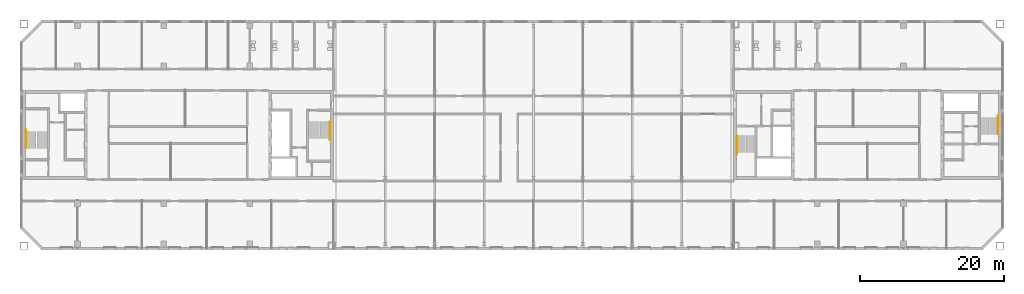
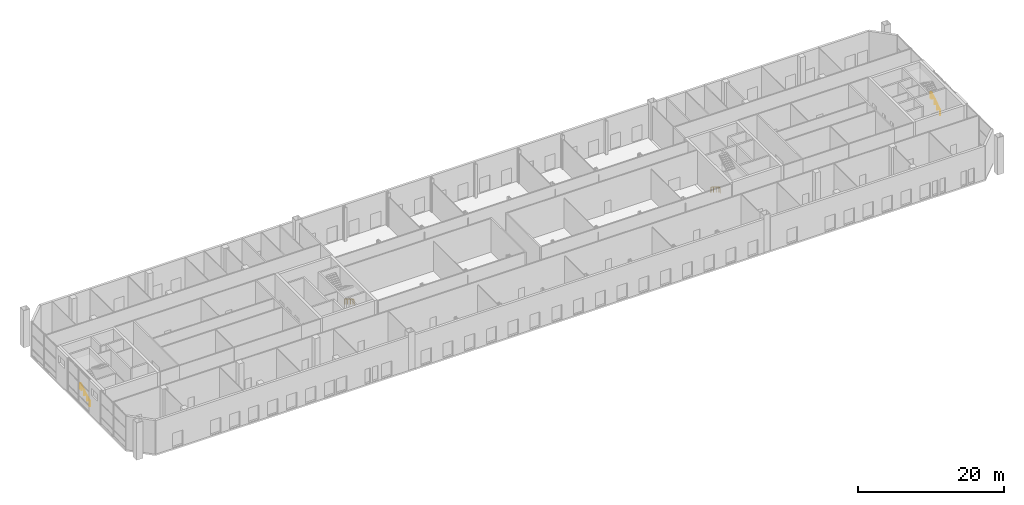
# One storey, part 19 of 20: 4 railings.
"""IFC4 building model written with IfcOpenShell, lengths in metres."""

from ifc_helpers import new_model, si_unit, direction, frame, origin, origin_2d, place, context, subcontext, project, spatial, circle, extrude, material, type_object, element, save


model = new_model("IFC4")

# Units and contexts
model_context = context("Model", 3, precision=1e-05, world=origin(), true_north=direction((0.0, 1.0)))
body_context = subcontext(model_context, "Body", "Model", "MODEL_VIEW")
ifc_project = project(units=[si_unit("LENGTHUNIT", "METRE"), si_unit("AREAUNIT", "SQUARE_METRE"), si_unit("VOLUMEUNIT", "CUBIC_METRE"), si_unit("PLANEANGLEUNIT", "RADIAN"), si_unit("MASSUNIT", "GRAM", prefix="KILO")], contexts=[model_context])

# Site, building, storey
site_placement = place(None, origin())
site = spatial("IfcSite", under=ifc_project, at=site_placement, CompositionType="ELEMENT")
building_placement = place(site_placement, origin())
building = spatial("IfcBuilding", under=site, at=building_placement, Name="Tuart Gate Housing", CompositionType="ELEMENT")
storey_placement = place(building_placement, frame((0.0, 0.0, 215.199951171875)))
storey = spatial("IfcBuildingStorey", under=building, at=storey_placement, Name="L61", CompositionType="ELEMENT", Elevation=215.199951171875)

# Railings
ifc_material = material(Name="Stainless steel", Category="steel")
railing_type = type_object("IfcRailingType", Name="Stair handrail 900", PredefinedType="HANDRAIL", material=ifc_material)
railing_1_placement = place(storey_placement, frame((75.179931640625, 71.824951171875, 0.17236328125)))
element("IfcRailing", 1, at=railing_1_placement, inside=storey, type_object=railing_type, Name="Stair handrail SA1.1", PredefinedType="HANDRAIL", context=body_context, shape_type="SweptSolid", body=[
    extrude(circle(Radius=0.02392578125, at=origin_2d()), frame((0.0, 0.0, 0.8759765625), z_axis=(0.0, -0.85178898068, 0.523885037382), x_axis=(1.0, 0.0, 0.0)), (0.0, 0.0, 1.0), 2.629638671875),
    extrude(circle(Radius=0.02392578125, at=origin_2d()), frame((0.0, -2.239990234375, 2.25341796875), z_axis=(0.0, -1.0, 0.0), x_axis=(1.0, 0.0, 0.0)), (0.0, 0.0, 1.0), 0.300048828125),
    extrude(circle(Radius=0.02099609375, at=origin_2d()), origin(), (0.0, 0.0, 1.0), 0.851806640625),
    extrude(circle(Radius=0.02099609375, at=origin_2d()), frame((0.0, -0.74658203125, 0.459228515625)), (0.0, 0.0, 1.0), 0.851806640625),
    extrude(circle(Radius=0.02099609375, at=origin_2d()), frame((0.0, -1.493408203125, 0.91845703125)), (0.0, 0.0, 1.0), 0.851806640625),
    extrude(circle(Radius=0.02099609375, at=origin_2d()), frame((0.0, -2.239990234375, 1.377685546875)), (0.0, 0.0, 1.0), 0.851806640625),
    extrude(circle(Radius=0.02099609375, at=origin_2d()), frame((0.0, -2.5400390625, 1.377685546875)), (0.0, 0.0, 1.0), 0.851806640625),
])
railing_2_placement = place(storey_placement, frame((32.820068359375, 68.175048828125, 0.17236328125)))
element("IfcRailing", 2, at=railing_2_placement, inside=storey, type_object=railing_type, Name="Stair handrail SA2.1", PredefinedType="HANDRAIL", context=body_context, shape_type="SweptSolid", body=[
    extrude(circle(Radius=0.02392578125, at=origin_2d()), frame((0.0, 0.0, 0.8759765625), z_axis=(0.0, 0.85178898068, 0.523885037382), x_axis=(-1.0, 0.0, 0.0)), (0.0, 0.0, 1.0), 2.629638671875),
    extrude(circle(Radius=0.02392578125, at=origin_2d()), frame((0.0, 2.239990234375, 2.25341796875), z_axis=(0.0, 1.0, 0.0), x_axis=(-1.0, 0.0, 0.0)), (0.0, 0.0, 1.0), 0.300048828125),
    extrude(circle(Radius=0.02099609375, at=origin_2d()), origin(), (0.0, 0.0, 1.0), 0.851806640625),
    extrude(circle(Radius=0.02099609375, at=origin_2d()), frame((0.0, 0.74658203125, 0.459228515625)), (0.0, 0.0, 1.0), 0.851806640625),
    extrude(circle(Radius=0.02099609375, at=origin_2d()), frame((0.0, 1.493408203125, 0.91845703125)), (0.0, 0.0, 1.0), 0.851806640625),
    extrude(circle(Radius=0.02099609375, at=origin_2d()), frame((0.0, 2.239990234375, 1.377685546875)), (0.0, 0.0, 1.0), 0.851806640625),
    extrude(circle(Radius=0.02099609375, at=origin_2d()), frame((0.0, 2.5400390625, 1.377685546875)), (0.0, 0.0, 1.0), 0.851806640625),
])
railing_3_placement = place(storey_placement, frame((131.820068359375, 69.875, 0.17236328125)))
element("IfcRailing", 3, at=railing_3_placement, inside=storey, type_object=railing_type, Name="Stair handrail SB1.1", PredefinedType="HANDRAIL", context=body_context, shape_type="SweptSolid", body=[
    extrude(circle(Radius=0.02392578125, at=origin_2d()), frame((0.0, 0.0, 0.8759765625), z_axis=(0.0, -0.85178898068, 0.523885037382), x_axis=(1.0, 0.0, 0.0)), (0.0, 0.0, 1.0), 2.629638671875),
    extrude(circle(Radius=0.02392578125, at=origin_2d()), frame((0.0, -2.239990234375, 2.25341796875), z_axis=(0.0, -1.0, 0.0), x_axis=(1.0, 0.0, 0.0)), (0.0, 0.0, 1.0), 0.300048828125),
    extrude(circle(Radius=0.02099609375, at=origin_2d()), origin(), (0.0, 0.0, 1.0), 0.851806640625),
    extrude(circle(Radius=0.02099609375, at=origin_2d()), frame((0.0, -0.74658203125, 0.459228515625)), (0.0, 0.0, 1.0), 0.851806640625),
    extrude(circle(Radius=0.02099609375, at=origin_2d()), frame((0.0, -1.493408203125, 0.91845703125)), (0.0, 0.0, 1.0), 0.851806640625),
    extrude(circle(Radius=0.02099609375, at=origin_2d()), frame((0.0, -2.239990234375, 1.377685546875)), (0.0, 0.0, 1.0), 0.851806640625),
    extrude(circle(Radius=0.02099609375, at=origin_2d()), frame((0.0, -2.5400390625, 1.377685546875)), (0.0, 0.0, 1.0), 0.851806640625),
])
railing_4_placement = place(storey_placement, frame((168.179931640625, 70.125, 0.17236328125)))
element("IfcRailing", 4, at=railing_4_placement, inside=storey, type_object=railing_type, Name="Stair handrail SB2.1", PredefinedType="HANDRAIL", context=body_context, shape_type="SweptSolid", body=[
    extrude(circle(Radius=0.02392578125, at=origin_2d()), frame((0.0, 0.0, 0.8759765625), z_axis=(0.0, 0.85178898068, 0.523885037382), x_axis=(-1.0, 0.0, 0.0)), (0.0, 0.0, 1.0), 2.629638671875),
    extrude(circle(Radius=0.02392578125, at=origin_2d()), frame((0.0, 2.239990234375, 2.25341796875), z_axis=(0.0, 1.0, 0.0), x_axis=(-1.0, 0.0, 0.0)), (0.0, 0.0, 1.0), 0.300048828125),
    extrude(circle(Radius=0.02099609375, at=origin_2d()), origin(), (0.0, 0.0, 1.0), 0.851806640625),
    extrude(circle(Radius=0.02099609375, at=origin_2d()), frame((0.0, 0.74658203125, 0.459228515625)), (0.0, 0.0, 1.0), 0.851806640625),
    extrude(circle(Radius=0.02099609375, at=origin_2d()), frame((0.0, 1.493408203125, 0.91845703125)), (0.0, 0.0, 1.0), 0.851806640625),
    extrude(circle(Radius=0.02099609375, at=origin_2d()), frame((0.0, 2.239990234375, 1.377685546875)), (0.0, 0.0, 1.0), 0.851806640625),
    extrude(circle(Radius=0.02099609375, at=origin_2d()), frame((0.0, 2.5400390625, 1.377685546875)), (0.0, 0.0, 1.0), 0.851806640625),
])

save(model, "model.ifc")
